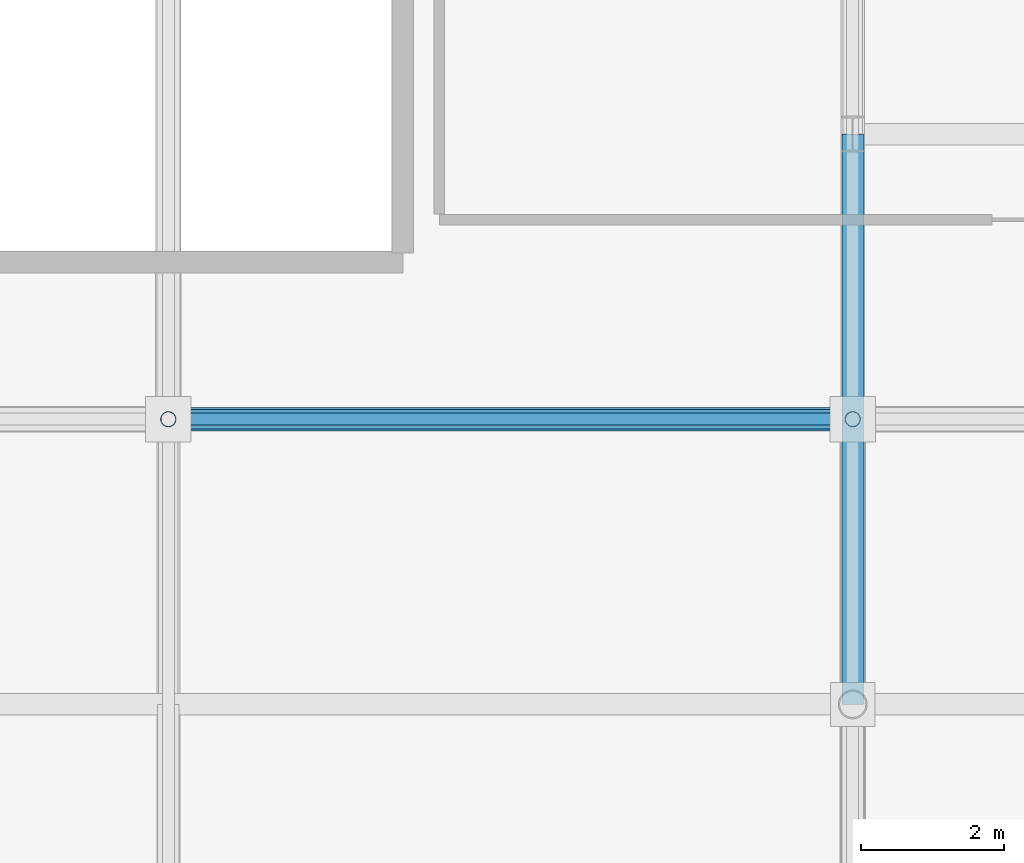
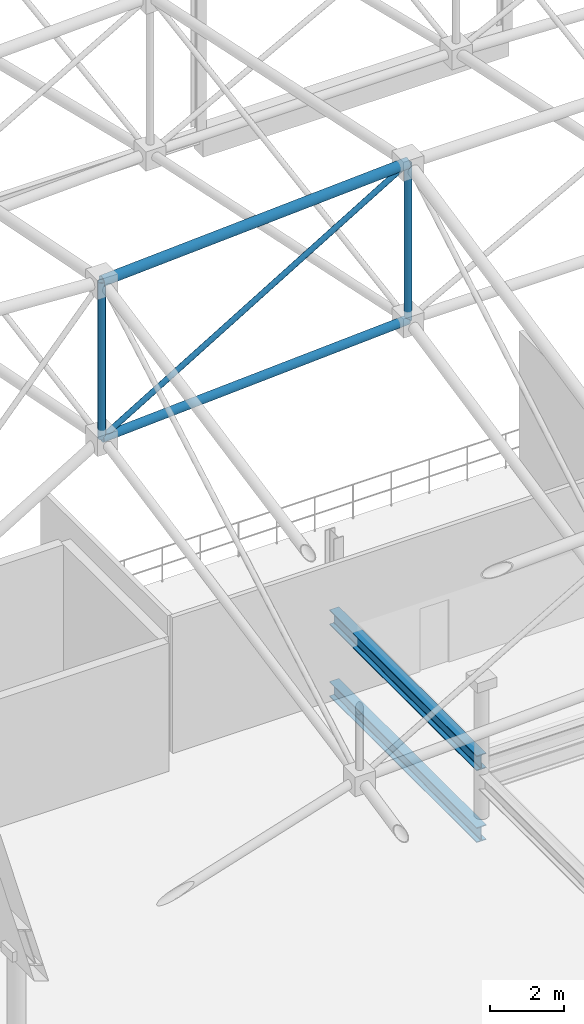
# One storey, part 105 of 193: 5 members, 2 beams.
"""IFC4 building model written with IfcOpenShell, lengths in metres."""

from ifc_helpers import new_model, si_unit, direction, frame, origin, origin_2d, place, context, subcontext, project, spatial, hollow_circle, i_section, extrude, material, material_profile, profile_set, type_object, element, save


model = new_model("IFC4")

# Units and contexts
model_context = context("Model", 3, precision=1e-05, world=origin(), true_north=direction((0.0, 1.0)))
body_context = subcontext(model_context, "Body", "Model", "MODEL_VIEW")
ifc_project = project(units=[si_unit("LENGTHUNIT", "METRE"), si_unit("AREAUNIT", "SQUARE_METRE"), si_unit("VOLUMEUNIT", "CUBIC_METRE"), si_unit("PLANEANGLEUNIT", "RADIAN"), si_unit("MASSUNIT", "GRAM", prefix="KILO")], contexts=[model_context])

# Site, building, storey
site_placement = place(None, origin())
site = spatial("IfcSite", under=ifc_project, at=site_placement, CompositionType="ELEMENT")
building_placement = place(site_placement, origin())
building = spatial("IfcBuilding", under=site, at=building_placement, Name="Danafjord Basin Convention Centre", CompositionType="ELEMENT")
storey_placement = place(building_placement, frame((0.0, 0.0, 11.39990234375)))
storey = spatial("IfcBuildingStorey", under=building, at=storey_placement, Name="L02", CompositionType="ELEMENT", Elevation=11.39990234375)

# Beams
ifc_material = material(Name="Steel S355", Category="steel")
ifc_material_profile_1 = material_profile(ifc_material, i_section(OverallWidth=0.300048828125, OverallDepth=0.5, WebThickness=0.014404296875, FlangeThickness=0.028076171875, FilletRadius=0.027099609375, at=origin_2d()), Name="HEB 500")
ifc_profile_set_1 = profile_set([ifc_material_profile_1], Name="Steel S355")
beam_type = type_object("IfcBeamType", Name="BEAM-BM-HEB500", PredefinedType="BEAM", material=ifc_profile_set_1)
for number, where, z_axis, x_axis, name in (
    (1, (153.60009765625, 112.0, 1.77001953125), (0.0, 1.0, 0.0), (-1.0, 0.0, 0.0), "Balcony tier carrier girder"),
    (2, (153.60009765625, 112.0, -0.60986328125), (0.0, 1.0, 0.0), (-1.0, 0.0, 0.0), "L02 transverse girder BM-HEB500"),
):
    element("IfcBeam", number, at=place(storey_placement, frame(where, z_axis=z_axis, x_axis=x_axis)), inside=storey, type_object=beam_type, Name=name, PredefinedType="BEAM", context=body_context, shape_type="SweptSolid", body=[
        extrude(i_section(OverallWidth=0.300048828125, OverallDepth=0.5, WebThickness=0.014404296875, FlangeThickness=0.028076171875, FilletRadius=0.027099609375, at=origin_2d()), origin(), (0.0, 0.0, 1.0), 8.0),
    ])

# Members
ifc_material_profile_2 = material_profile(ifc_material, hollow_circle(Radius=0.136474609375, WallThickness=0.012451171875, at=origin_2d()), Name="CHS 273.0x12.5")
ifc_profile_set_2 = profile_set([ifc_material_profile_2], Name="Steel S355")
member_type_1 = type_object("IfcMemberType", Name="MEM-CH-CHS273", PredefinedType="CHORD", material=ifc_profile_set_2)
member_1_placement = place(storey_placement, frame((144.0, 116.0, 13.4501953125), z_axis=(0.998287828511, 0.0, 0.058492832432), x_axis=(0.0, 1.0, 0.0)))
element("IfcMember", 3, at=member_1_placement, inside=storey, type_object=member_type_1, Name="V2 roof truss longitudinal bottom chord", PredefinedType="CHORD", context=body_context, shape_type="SweptSolid", body=[
    extrude(hollow_circle(Radius=0.136474609375, WallThickness=0.012451171875, at=origin_2d()), origin(), (0.0, 0.0, 1.0), 9.616455078125),
])
ifc_material_profile_3 = material_profile(ifc_material, hollow_circle(Radius=0.161865234375, WallThickness=0.01611328125, at=origin_2d()), Name="CHS 323.9x16.0")
ifc_profile_set_3 = profile_set([ifc_material_profile_3], Name="Steel S355")
member_type_2 = type_object("IfcMemberType", Name="MEM-CH-CHS324", PredefinedType="CHORD", material=ifc_profile_set_3)
member_2_placement = place(storey_placement, frame((144.0, 116.0, 18.650146484375), z_axis=(0.998287828511, 0.0, 0.058492832432), x_axis=(0.0, 1.0, 0.0)))
element("IfcMember", 4, at=member_2_placement, inside=storey, type_object=member_type_2, Name="V2 roof truss longitudinal top chord", PredefinedType="CHORD", context=body_context, shape_type="SweptSolid", body=[
    extrude(hollow_circle(Radius=0.161865234375, WallThickness=0.01611328125, at=origin_2d()), origin(), (0.0, 0.0, 1.0), 9.616455078125),
])
ifc_material_profile_4 = material_profile(ifc_material, hollow_circle(Radius=0.109619140625, WallThickness=0.010009765625, at=origin_2d()), Name="CHS 219.1x10.0")
ifc_profile_set_4 = profile_set([ifc_material_profile_4], Name="Steel S355")
member_type_3 = type_object("IfcMemberType", Name="MEM-ST-CHS219", PredefinedType="STRUT", material=ifc_profile_set_4)
for number, where, z_axis, x_axis, name in (
    (5, (144.0, 116.0, 13.4501953125), (0.0, 0.0, 1.0), (1.0, 0.0, 0.0), "V2 roof truss vertical strut"),
    (6, (153.60009765625, 116.0, 14.0126953125), (0.0, 0.0, 1.0), (1.0, 0.0, 0.0), "V2 roof truss vertical strut"),
):
    element("IfcMember", number, at=place(storey_placement, frame(where, z_axis=z_axis, x_axis=x_axis)), inside=storey, type_object=member_type_3, Name=name, PredefinedType="STRUT", context=body_context, shape_type="SweptSolid", body=[
        extrude(hollow_circle(Radius=0.109619140625, WallThickness=0.010009765625, at=origin_2d()), origin(), (0.0, 0.0, 1.0), 5.199951171875),
    ])
ifc_material_profile_5 = material_profile(ifc_material, hollow_circle(Radius=0.084228515625, WallThickness=0.008056640625, at=origin_2d()), Name="CHS 168.3x8.0")
ifc_profile_set_5 = profile_set([ifc_material_profile_5], Name="Steel S355")
member_type_4 = type_object("IfcMemberType", Name="MEM-WB-CHS168", PredefinedType="MEMBER", material=ifc_profile_set_5)
member_3_placement = place(storey_placement, frame((144.0, 116.0, 13.4501953125), z_axis=(0.857398638691, 0.0, 0.514652867835), x_axis=(0.0, 1.0, 0.0)))
element("IfcMember", 7, at=member_3_placement, inside=storey, type_object=member_type_4, Name="V2 space-frame longitudinal web", PredefinedType="MEMBER", context=body_context, shape_type="SweptSolid", body=[
    extrude(hollow_circle(Radius=0.084228515625, WallThickness=0.008056640625, at=origin_2d()), origin(), (0.0, 0.0, 1.0), 11.19677734375),
])

save(model, "model.ifc")
